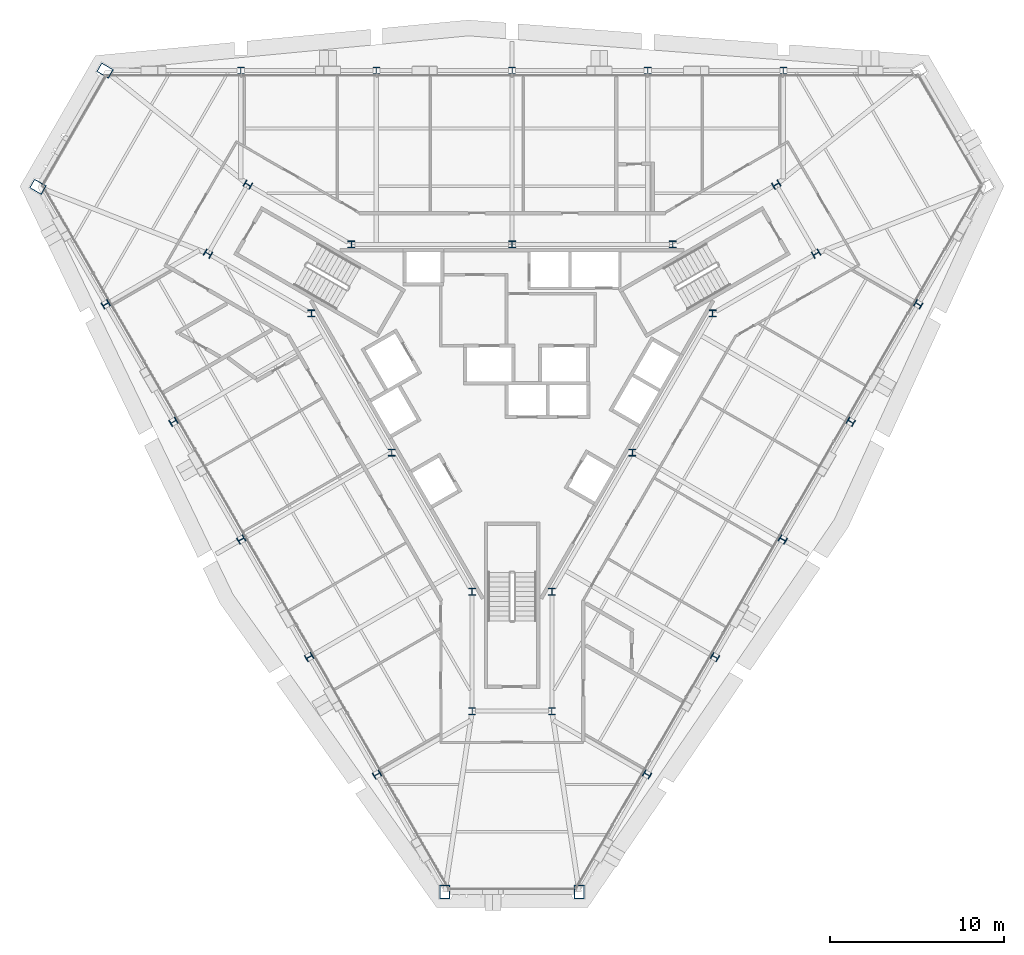
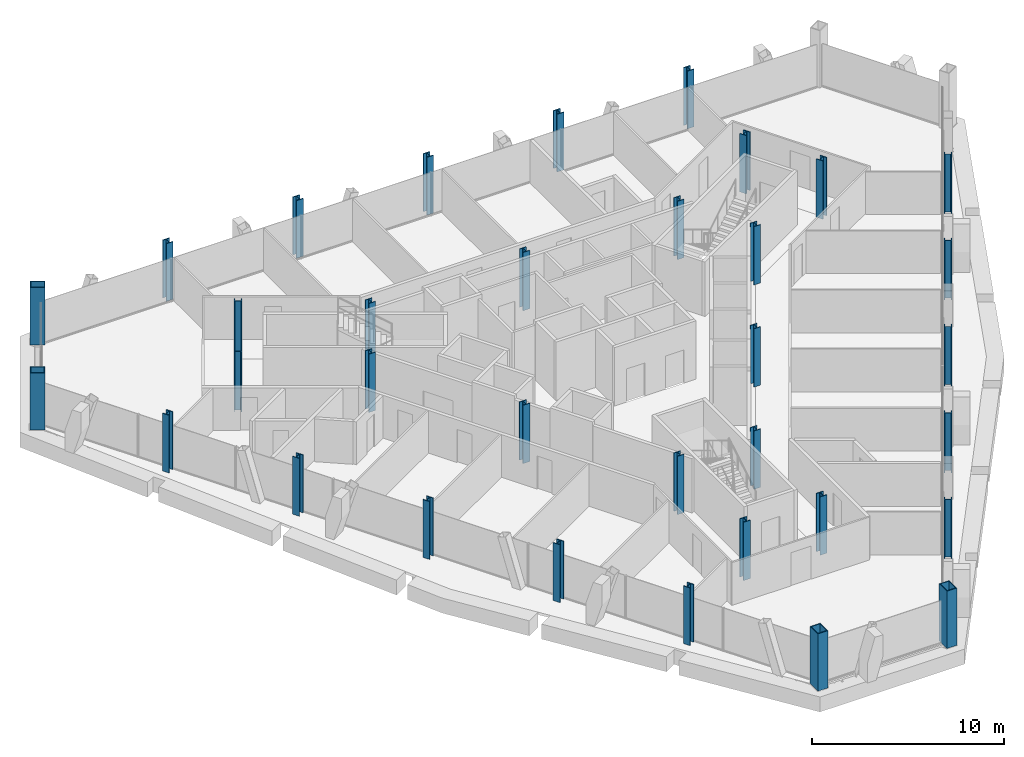
# One storey, part 1 of 17: 34 columns.
"""IFC4 building model written with IfcOpenShell, lengths in metres."""

from ifc_helpers import new_model, si_unit, direction, frame, origin, origin_2d, place, context, subcontext, project, spatial, hollow_rectangle, i_section, extrude, material, material_profile, profile_set, type_object, element, save


model = new_model("IFC4")

# Units and contexts
model_context = context("Model", 3, precision=1e-05, world=origin(), true_north=direction((0.0, 1.0)))
body_context = subcontext(model_context, "Body", "Model", "MODEL_VIEW")
ifc_project = project(units=[si_unit("LENGTHUNIT", "METRE"), si_unit("AREAUNIT", "SQUARE_METRE"), si_unit("VOLUMEUNIT", "CUBIC_METRE"), si_unit("PLANEANGLEUNIT", "RADIAN"), si_unit("MASSUNIT", "GRAM", prefix="KILO")], contexts=[model_context])

# Site, building, storey
site_placement = place(None, origin())
site = spatial("IfcSite", under=ifc_project, at=site_placement, CompositionType="ELEMENT")
building_placement = place(site_placement, origin())
building = spatial("IfcBuilding", under=site, at=building_placement, Name="Verrane Prism Tower", CompositionType="ELEMENT")
storey_placement = place(building_placement, frame((0.0, 0.0, 182.10009765625)))
storey = spatial("IfcBuildingStorey", under=building, at=storey_placement, Name="L45", CompositionType="ELEMENT", Elevation=182.10009765625)

# Columns
ifc_material_1 = material(Name="Steel A992", Category="steel")
ifc_material_profile_1 = material_profile(ifc_material_1, i_section(OverallWidth=0.406494140625, OverallDepth=0.41650390625, WebThickness=0.030029296875, FlangeThickness=0.048095703125, FilletRadius=0.01513671875, at=origin_2d()), Name="W14x257")
ifc_profile_set_1 = profile_set([ifc_material_profile_1], Name="Steel A992")
column_type_1 = type_object("IfcColumnType", Name="Core corner column W14x257", PredefinedType="COLUMN", material=ifc_profile_set_1)
for number, where, z_axis, x_axis, name in (
    (1, (17.52001953125, 7.4599609375, 0.0), (0.0, 0.0, 1.0), (0.5, -0.866025403784, 0.0), "Core corner column CK-NEm L45"),
    (2, (15.219970703125, 11.43994140625, 0.0), (0.0, 0.0, 1.0), (0.5, -0.866025403784, 0.0), "Core corner column CK-NEp L45"),
    (3, (-15.219970703125, 11.43994140625, 0.0), (0.0, 0.0, 1.0), (0.5, 0.866025403784, 0.0), "Core corner column CK-NWm L45"),
    (4, (-17.52001953125, 7.4599609375, 0.0), (0.0, 0.0, 1.0), (0.5, 0.866025403784, 0.0), "Core corner column CK-NWp L45"),
    (5, (-2.300048828125, -18.89990234375, 0.0), (0.0, 0.0, 1.0), (-1.0, 0.0, 0.0), "Core corner column CK-Sm L45"),
    (6, (2.300048828125, -18.89990234375, 0.0), (0.0, 0.0, 1.0), (-1.0, 0.0, 0.0), "Core corner column CK-Sp L45"),
):
    element("IfcColumn", number, at=place(storey_placement, frame(where, z_axis=z_axis, x_axis=x_axis)), inside=storey, type_object=column_type_1, Name=name, PredefinedType="COLUMN", context=body_context, shape_type="SweptSolid", body=[
        extrude(i_section(OverallWidth=0.406494140625, OverallDepth=0.41650390625, WebThickness=0.030029296875, FlangeThickness=0.048095703125, FilletRadius=0.01513671875, at=origin_2d()), origin(), (0.0, 0.0, 1.0), 3.699951171875),
    ])
ifc_material_2 = material(Name="Steel A992", Category="steel")
ifc_material_profile_2 = material_profile(ifc_material_2, i_section(OverallWidth=0.4013671875, OverallDepth=0.398681640625, WebThickness=0.02490234375, FlangeThickness=0.03955078125, FilletRadius=0.01513671875, at=origin_2d()), Name="W14x211")
ifc_profile_set_2 = profile_set([ifc_material_profile_2], Name="Steel A992")
column_type_2 = type_object("IfcColumnType", Name="Core side column W14x211", PredefinedType="COLUMN", material=ifc_profile_set_2)
for number, where, z_axis, x_axis, name in (
    (7, (11.56005859375, 4.02001953125, 0.0), (0.0, 0.0, 1.0), (1.0, 0.0, 0.0), "Core side column CC-NEm L45"),
    (8, (9.260009765625, 8.0, 0.0), (0.0, 0.0, 1.0), (1.0, 0.0, 0.0), "Core side column CC-NEp L45"),
    (9, (0.0, 8.0, 0.0), (0.0, 0.0, 1.0), (1.0, 0.0, 0.0), "Core side column CC-N0 L45"),
    (10, (-9.260009765625, 8.0, 0.0), (0.0, 0.0, 1.0), (1.0, 0.0, 0.0), "Core side column CC-NWm L45"),
    (11, (-11.56005859375, 4.02001953125, 0.0), (0.0, 0.0, 1.0), (1.0, 0.0, 0.0), "Core side column CC-NWp L45"),
    (12, (-6.929931640625, -4.0, 0.0), (0.0, 0.0, 1.0), (1.0, 0.0, 0.0), "Core side column CC-SW0 L45"),
    (13, (-2.300048828125, -12.02001953125, 0.0), (0.0, 0.0, 1.0), (1.0, 0.0, 0.0), "Core side column CC-Sm L45"),
    (14, (2.300048828125, -12.02001953125, 0.0), (0.0, 0.0, 1.0), (1.0, 0.0, 0.0), "Core side column CC-Sp L45"),
    (15, (6.929931640625, -4.0, 0.0), (0.0, 0.0, 1.0), (1.0, 0.0, 0.0), "Core side column CC-SE0 L45"),
):
    element("IfcColumn", number, at=place(storey_placement, frame(where, z_axis=z_axis, x_axis=x_axis)), inside=storey, type_object=column_type_2, Name=name, PredefinedType="COLUMN", context=body_context, shape_type="SweptSolid", body=[
        extrude(i_section(OverallWidth=0.4013671875, OverallDepth=0.398681640625, WebThickness=0.02490234375, FlangeThickness=0.03955078125, FilletRadius=0.01513671875, at=origin_2d()), origin(), (0.0, 0.0, 1.0), 3.699951171875),
    ])
ifc_material_3 = material(Name="Steel A572 Grade 50", Category="steel")
ifc_material_profile_3 = material_profile(ifc_material_3, hollow_rectangle(XDim=0.60009765625, YDim=0.800048828125, WallThickness=0.050048828125, at=origin_2d()), Name="BOX 800x600x50")
ifc_profile_set_3 = profile_set([ifc_material_profile_3], Name="Steel A572 Grade 50")
column_type_3 = type_object("IfcColumnType", Name="Megacolumn BOX 800x600x50", PredefinedType="COLUMN", material=ifc_profile_set_3)
for number, where, z_axis, x_axis, name in (
    (16, (-23.449951171875, 18.010009765625, 0.0), (0.0, 0.0, 1.0), (0.5, 0.866025403784, 0.0), "Megacolumn MC-NW.a L45"),
    (17, (-27.320068359375, 11.31005859375, 0.0), (0.0, 0.0, 1.0), (0.5, 0.866025403784, 0.0), "Megacolumn MC-NW.b L45"),
    (18, (-3.8701171875, -29.320068359375, 0.0), (0.0, 0.0, 1.0), (-1.0, 0.0, 0.0), "Megacolumn MC-S.a L45"),
    (19, (3.8701171875, -29.320068359375, 0.0), (0.0, 0.0, 1.0), (-1.0, 0.0, 0.0), "Megacolumn MC-S.b L45"),
):
    element("IfcColumn", number, at=place(storey_placement, frame(where, z_axis=z_axis, x_axis=x_axis)), inside=storey, type_object=column_type_3, Name=name, PredefinedType="COLUMN", context=body_context, shape_type="SweptSolid", body=[
        extrude(hollow_rectangle(XDim=0.60009765625, YDim=0.800048828125, WallThickness=0.050048828125, at=origin_2d()), origin(), (0.0, 0.0, 1.0), 3.635009765625),
    ])
ifc_material_4 = material(Name="Steel A992", Category="steel")
ifc_material_profile_4 = material_profile(ifc_material_4, i_section(OverallWidth=0.406494140625, OverallDepth=0.41650390625, WebThickness=0.030029296875, FlangeThickness=0.048095703125, FilletRadius=0.01513671875, at=origin_2d()), Name="W14x257")
ifc_profile_set_4 = profile_set([ifc_material_profile_4], Name="Steel A992")
column_type_4 = type_object("IfcColumnType", Name="Perimeter column W14x257", PredefinedType="COLUMN", material=ifc_profile_set_4)
column_1_placement = place(storey_placement, frame((15.6298828125, 18.010009765625, 0.0), z_axis=(0.0, 0.0, 1.0), x_axis=(1.0, 0.0, 0.0)))
element("IfcColumn", 20, at=column_1_placement, inside=storey, type_object=column_type_4, Name="Perimeter column PC-N1 L45", PredefinedType="COLUMN", context=body_context, shape_type="SweptSolid", body=[
    extrude(i_section(OverallWidth=0.406494140625, OverallDepth=0.41650390625, WebThickness=0.030029296875, FlangeThickness=0.048095703125, FilletRadius=0.01513671875, at=origin_2d()), origin(), (0.0, 0.0, 1.0), 3.659912109375),
])
column_2_placement = place(storey_placement, frame((7.820068359375, 18.010009765625, 0.0), z_axis=(0.0, 0.0, 1.0), x_axis=(1.0, 0.0, 0.0)))
element("IfcColumn", 21, at=column_2_placement, inside=storey, type_object=column_type_4, Name="Perimeter column PC-N2 L45", PredefinedType="COLUMN", context=body_context, shape_type="SweptSolid", body=[
    extrude(i_section(OverallWidth=0.406494140625, OverallDepth=0.41650390625, WebThickness=0.030029296875, FlangeThickness=0.048095703125, FilletRadius=0.01513671875, at=origin_2d()), origin(), (0.0, 0.0, 1.0), 3.664794921875),
])
column_3_placement = place(storey_placement, frame((0.0, 18.010009765625, 0.0), z_axis=(0.0, 0.0, 1.0), x_axis=(1.0, 0.0, 0.0)))
element("IfcColumn", 22, at=column_3_placement, inside=storey, type_object=column_type_4, Name="Perimeter column PC-N3 L45", PredefinedType="COLUMN", context=body_context, shape_type="SweptSolid", body=[
    extrude(i_section(OverallWidth=0.406494140625, OverallDepth=0.41650390625, WebThickness=0.030029296875, FlangeThickness=0.048095703125, FilletRadius=0.01513671875, at=origin_2d()), origin(), (0.0, 0.0, 1.0), 3.669921875),
])
column_4_placement = place(storey_placement, frame((-7.820068359375, 18.010009765625, 0.0), z_axis=(0.0, 0.0, 1.0), x_axis=(1.0, 0.0, 0.0)))
element("IfcColumn", 23, at=column_4_placement, inside=storey, type_object=column_type_4, Name="Perimeter column PC-N4 L45", PredefinedType="COLUMN", context=body_context, shape_type="SweptSolid", body=[
    extrude(i_section(OverallWidth=0.406494140625, OverallDepth=0.41650390625, WebThickness=0.030029296875, FlangeThickness=0.048095703125, FilletRadius=0.01513671875, at=origin_2d()), origin(), (0.0, 0.0, 1.0), 3.664794921875),
])
for number, where, z_axis, x_axis, name in (
    (24, (-15.6298828125, 18.010009765625, 0.0), (0.0, 0.0, 1.0), (1.0, 0.0, 0.0), "Perimeter column PC-N5 L45"),
    (25, (-23.409912109375, 4.5400390625, 0.0), (0.0, 0.0, 1.0), (-0.5, 0.866025403784, 0.0), "Perimeter column PC-SW1 L45"),
):
    element("IfcColumn", number, at=place(storey_placement, frame(where, z_axis=z_axis, x_axis=x_axis)), inside=storey, type_object=column_type_4, Name=name, PredefinedType="COLUMN", context=body_context, shape_type="SweptSolid", body=[
        extrude(i_section(OverallWidth=0.406494140625, OverallDepth=0.41650390625, WebThickness=0.030029296875, FlangeThickness=0.048095703125, FilletRadius=0.01513671875, at=origin_2d()), origin(), (0.0, 0.0, 1.0), 3.659912109375),
    ])
column_5_placement = place(storey_placement, frame((-19.510009765625, -2.22998046875, 0.0), z_axis=(0.0, 0.0, 1.0), x_axis=(-0.5, 0.866025403784, 0.0)))
element("IfcColumn", 26, at=column_5_placement, inside=storey, type_object=column_type_4, Name="Perimeter column PC-SW2 L45", PredefinedType="COLUMN", context=body_context, shape_type="SweptSolid", body=[
    extrude(i_section(OverallWidth=0.406494140625, OverallDepth=0.41650390625, WebThickness=0.030029296875, FlangeThickness=0.048095703125, FilletRadius=0.01513671875, at=origin_2d()), origin(), (0.0, 0.0, 1.0), 3.664794921875),
])
column_6_placement = place(storey_placement, frame((-15.60009765625, -9.010009765625, 0.0), z_axis=(0.0, 0.0, 1.0), x_axis=(-0.5, 0.866025403784, 0.0)))
element("IfcColumn", 27, at=column_6_placement, inside=storey, type_object=column_type_4, Name="Perimeter column PC-SW3 L45", PredefinedType="COLUMN", context=body_context, shape_type="SweptSolid", body=[
    extrude(i_section(OverallWidth=0.406494140625, OverallDepth=0.41650390625, WebThickness=0.030029296875, FlangeThickness=0.048095703125, FilletRadius=0.01513671875, at=origin_2d()), origin(), (0.0, 0.0, 1.0), 3.669921875),
])
column_7_placement = place(storey_placement, frame((-11.68994140625, -15.780029296875, 0.0), z_axis=(0.0, 0.0, 1.0), x_axis=(-0.5, 0.866025403784, 0.0)))
element("IfcColumn", 28, at=column_7_placement, inside=storey, type_object=column_type_4, Name="Perimeter column PC-SW4 L45", PredefinedType="COLUMN", context=body_context, shape_type="SweptSolid", body=[
    extrude(i_section(OverallWidth=0.406494140625, OverallDepth=0.41650390625, WebThickness=0.030029296875, FlangeThickness=0.048095703125, FilletRadius=0.01513671875, at=origin_2d()), origin(), (0.0, 0.0, 1.0), 3.664794921875),
])
for number, where, z_axis, x_axis, name in (
    (29, (-7.780029296875, -22.550048828125, 0.0), (0.0, 0.0, 1.0), (-0.5, 0.866025403784, 0.0), "Perimeter column PC-SW5 L45"),
    (30, (7.780029296875, -22.550048828125, 0.0), (0.0, 0.0, 1.0), (-0.5, -0.866025403784, 0.0), "Perimeter column PC-SE1 L45"),
):
    element("IfcColumn", number, at=place(storey_placement, frame(where, z_axis=z_axis, x_axis=x_axis)), inside=storey, type_object=column_type_4, Name=name, PredefinedType="COLUMN", context=body_context, shape_type="SweptSolid", body=[
        extrude(i_section(OverallWidth=0.406494140625, OverallDepth=0.41650390625, WebThickness=0.030029296875, FlangeThickness=0.048095703125, FilletRadius=0.01513671875, at=origin_2d()), origin(), (0.0, 0.0, 1.0), 3.659912109375),
    ])
column_8_placement = place(storey_placement, frame((11.68994140625, -15.780029296875, 0.0), z_axis=(0.0, 0.0, 1.0), x_axis=(-0.5, -0.866025403784, 0.0)))
element("IfcColumn", 31, at=column_8_placement, inside=storey, type_object=column_type_4, Name="Perimeter column PC-SE2 L45", PredefinedType="COLUMN", context=body_context, shape_type="SweptSolid", body=[
    extrude(i_section(OverallWidth=0.406494140625, OverallDepth=0.41650390625, WebThickness=0.030029296875, FlangeThickness=0.048095703125, FilletRadius=0.01513671875, at=origin_2d()), origin(), (0.0, 0.0, 1.0), 3.664794921875),
])
column_9_placement = place(storey_placement, frame((15.60009765625, -9.010009765625, 0.0), z_axis=(0.0, 0.0, 1.0), x_axis=(-0.5, -0.866025403784, 0.0)))
element("IfcColumn", 32, at=column_9_placement, inside=storey, type_object=column_type_4, Name="Perimeter column PC-SE3 L45", PredefinedType="COLUMN", context=body_context, shape_type="SweptSolid", body=[
    extrude(i_section(OverallWidth=0.406494140625, OverallDepth=0.41650390625, WebThickness=0.030029296875, FlangeThickness=0.048095703125, FilletRadius=0.01513671875, at=origin_2d()), origin(), (0.0, 0.0, 1.0), 3.669921875),
])
column_10_placement = place(storey_placement, frame((19.510009765625, -2.22998046875, 0.0), z_axis=(0.0, 0.0, 1.0), x_axis=(-0.5, -0.866025403784, 0.0)))
element("IfcColumn", 33, at=column_10_placement, inside=storey, type_object=column_type_4, Name="Perimeter column PC-SE4 L45", PredefinedType="COLUMN", context=body_context, shape_type="SweptSolid", body=[
    extrude(i_section(OverallWidth=0.406494140625, OverallDepth=0.41650390625, WebThickness=0.030029296875, FlangeThickness=0.048095703125, FilletRadius=0.01513671875, at=origin_2d()), origin(), (0.0, 0.0, 1.0), 3.664794921875),
])
column_11_placement = place(storey_placement, frame((23.409912109375, 4.5400390625, 0.0), z_axis=(0.0, 0.0, 1.0), x_axis=(-0.5, -0.866025403784, 0.0)))
element("IfcColumn", 34, at=column_11_placement, inside=storey, type_object=column_type_4, Name="Perimeter column PC-SE5 L45", PredefinedType="COLUMN", context=body_context, shape_type="SweptSolid", body=[
    extrude(i_section(OverallWidth=0.406494140625, OverallDepth=0.41650390625, WebThickness=0.030029296875, FlangeThickness=0.048095703125, FilletRadius=0.01513671875, at=origin_2d()), origin(), (0.0, 0.0, 1.0), 3.659912109375),
])

save(model, "model.ifc")
